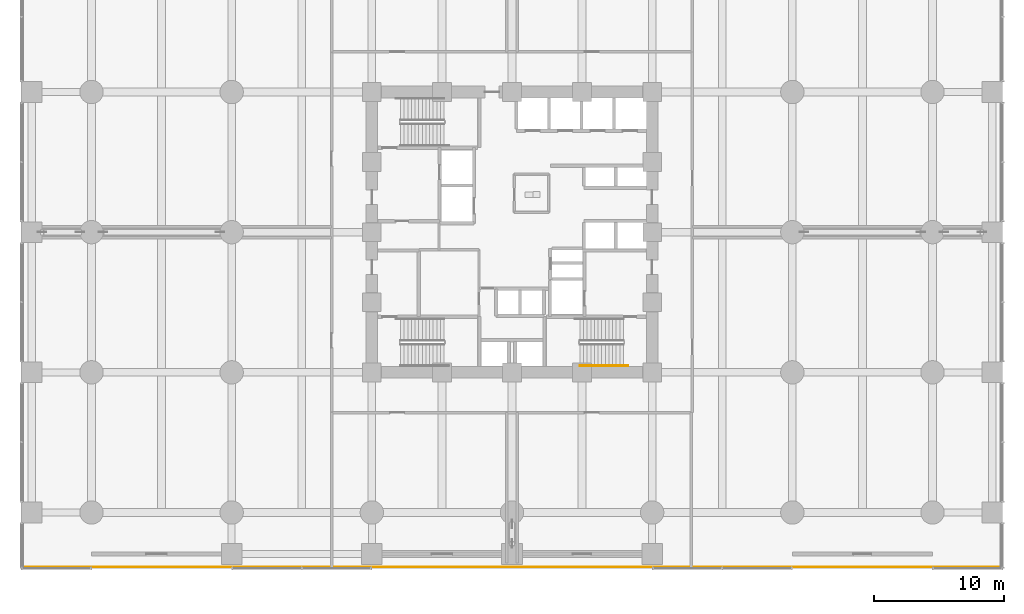
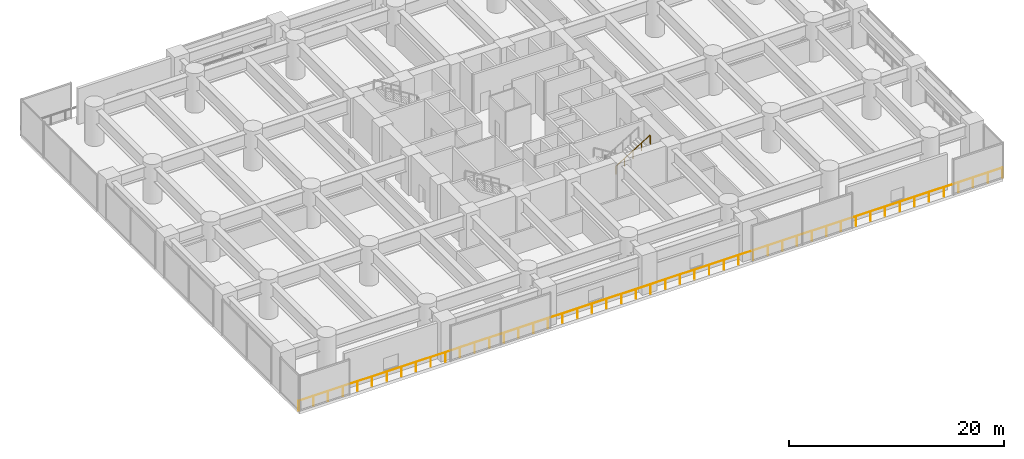
# One storey, part 34 of 37: 2 railings.
"""IFC4 building model written with IfcOpenShell, lengths in metres."""

import ifcopenshell
import ifcopenshell.guid

model = None  # the IFC model being written
_history = None  # IfcOwnerHistory: only IFC2X3 demands one
_inside = {}  # id of a spatial element -> (the spatial element, [elements in it])
_under = {}  # id of a project, library or spatial element -> (it, [spatial elements below it])
_declared = {}  # id of a project -> (the project, [libraries it declares])
_typed = {}  # id of a type object -> (the type object, [elements of that type])
_made_of = {}  # id of a material, layer set ... -> (it, [elements and type objects made of it])


def new_model(schema):
    """Start an empty IFC model of exactly this schema.

    Asked for "IFC4X3", IfcOpenShell would pick the latest addendum, in which some entities
    have other attributes; the version numbers below select the first issue.
    IFC2X3 requires an IfcOwnerHistory on every rooted entity: one is made here for all.
    """
    global model, _history
    if schema == "IFC4X3":
        model = ifcopenshell.file(schema_version=(4, 3, 0, 0))
    else:
        model = ifcopenshell.file(schema=schema)
    _inside.clear()
    _under.clear()
    _declared.clear()
    _typed.clear()
    _made_of.clear()
    _history = None
    if model.schema == "IFC2X3":
        org = make("IfcOrganization", Name="unknown")
        user = make(
            "IfcPersonAndOrganization",
            ThePerson=make("IfcPerson", FamilyName="unknown"),
            TheOrganization=org,
        )
        app = make(
            "IfcApplication",
            ApplicationDeveloper=org,
            Version="unknown",
            ApplicationFullName="unknown",
            ApplicationIdentifier="unknown",
        )
        _history = make(
            "IfcOwnerHistory",
            OwningUser=user,
            OwningApplication=app,
            ChangeAction="ADDED",
            CreationDate=0,
        )
    return model


def make(cls, **values):
    """One entity of the class cls with the attributes given. An attribute that is None is left unset."""
    return model.create_entity(
        cls, **{name: value for name, value in values.items() if value is not None}
    )


def rooted(cls, **values):
    """An entity with a GlobalId (a new one), such as an element, a storey or a relation."""
    return make(cls, GlobalId=ifcopenshell.guid.new(), OwnerHistory=_history, **values)


def si_unit(unit_type, name, prefix=None):
    """IfcSIUnit, for example si_unit("LENGTHUNIT", "METRE", prefix="MILLI")."""
    return make("IfcSIUnit", UnitType=unit_type, Prefix=prefix, Name=name)


def assignment(units):
    """IfcUnitAssignment: the units of a project."""
    return None if units is None else make("IfcUnitAssignment", Units=units)


def point(xyz):
    """IfcCartesianPoint."""
    return None if xyz is None else make("IfcCartesianPoint", Coordinates=xyz)


def direction(xyz):
    """IfcDirection."""
    return None if xyz is None else make("IfcDirection", DirectionRatios=xyz)


def frame(location, z_axis=None, x_axis=None):
    """IfcAxis2Placement3D, a coordinate frame: its origin and axes. An axis left out is left unset."""
    return make(
        "IfcAxis2Placement3D",
        Location=point(location),
        Axis=direction(z_axis),
        RefDirection=direction(x_axis),
    )


def frame_2d(location, x_axis=None):
    """IfcAxis2Placement2D, a coordinate frame in the plane: its origin and x axis."""
    return make(
        "IfcAxis2Placement2D", Location=point(location), RefDirection=direction(x_axis)
    )


def origin():
    """The frame at (0, 0, 0) with its axes left unset."""
    return frame((0.0, 0.0, 0.0))


def origin_2d():
    """The frame at (0, 0) in the plane with its x axis left unset."""
    return frame_2d((0.0, 0.0))


def place(relative_to, where):
    """IfcLocalPlacement: puts the frame where relative to a parent placement (None: the world)."""
    return make(
        "IfcLocalPlacement", PlacementRelTo=relative_to, RelativePlacement=where
    )


def context(
    kind, dimensions, precision=None, world=None, true_north=None, identifier=None
):
    """IfcGeometricRepresentationContext, for example the 3D "Model" context."""
    return make(
        "IfcGeometricRepresentationContext",
        ContextIdentifier=identifier,
        ContextType=kind,
        CoordinateSpaceDimension=dimensions,
        Precision=precision,
        WorldCoordinateSystem=world,
        TrueNorth=true_north,
    )


def subcontext(parent, identifier, kind, view, scale=None):
    """IfcGeometricRepresentationSubContext, for example "Body" below "Model"."""
    return make(
        "IfcGeometricRepresentationSubContext",
        ContextIdentifier=identifier,
        ContextType=kind,
        ParentContext=parent,
        TargetScale=scale,
        TargetView=view,
    )


def project(units=None, contexts=None):
    """IfcProject with its units and contexts."""
    return rooted(
        "IfcProject",
        Name="project",
        RepresentationContexts=contexts,
        UnitsInContext=assignment(units),
    )


def spatial(cls, under=None, at=None, **own):
    """A site, building, storey or space (cls), placed at a placement, below another one or the project."""
    s = rooted(cls, ObjectPlacement=at, **own)
    if under is not None:
        _under.setdefault(under.id(), (under, []))[1].append(s)
    return s


def profile(cls, at=None, kind="AREA", **sizes):
    """A parametric profile (cls). Its sizes go by their IFC names, for example OverallWidth=200.0."""
    return make(cls, ProfileType=kind, Position=at, **sizes)


def circle(**sizes):
    """IfcCircleProfileDef."""
    return profile("IfcCircleProfileDef", **sizes)


def extrude(swept, where, along, depth):
    """IfcExtrudedAreaSolid: the profile swept, set in the frame where, extruded along a direction by depth."""
    return make(
        "IfcExtrudedAreaSolid",
        SweptArea=swept,
        Position=where,
        ExtrudedDirection=direction(along),
        Depth=depth,
    )


def shape(context_of_items, identifier, shape_type, items):
    """IfcShapeRepresentation: the items that make up one representation, for example the "Body"."""
    return make(
        "IfcShapeRepresentation",
        ContextOfItems=context_of_items,
        RepresentationIdentifier=identifier,
        RepresentationType=shape_type,
        Items=items,
    )


def material(Name=None, Category=None):
    """IfcMaterial."""
    return make("IfcMaterial", Name=Name, Category=Category)


def made_of(thing, what):
    """Note that an element or type object is made of a material, layer set ...; save() writes the relation."""
    if what is not None:
        _made_of.setdefault(what.id(), (what, []))[1].append(thing)
    return thing


def type_object(cls, material=None, **own):
    """A type object (cls), such as IfcWallType, which elements share."""
    return made_of(rooted(cls, **own), material)


def element(
    cls,
    number,
    at=None,
    inside=None,
    cuts=None,
    type_object=None,
    material=None,
    context=None,
    identifier="Body",
    shape_type=None,
    held_by="IfcProductDefinitionShape",
    body=None,
    shapes=None,
    **own,
):
    """One element of the class cls, such as IfcWall. Its Tag is "e" and its number.

    at: its placement. inside: the storey or other place that contains it. cuts: it is an
    opening in that element (IfcRelVoidsElement). A single representation is given by context,
    identifier, shape_type and body (its items); several are given by shapes. held_by: the class
    of the entity that holds the representations. save() writes the other relations.
    """
    e = rooted(cls, Tag="e%d" % number, ObjectPlacement=at, **own)
    if body is not None:
        shapes = [shape(context, identifier, shape_type, body)]
    if shapes is not None:
        e.Representation = make(held_by, Representations=shapes)
    if inside is not None:
        _inside.setdefault(inside.id(), (inside, []))[1].append(e)
    if cuts is not None:
        rooted(
            "IfcRelVoidsElement", RelatingBuildingElement=cuts, RelatedOpeningElement=e
        )
    if type_object is not None:
        _typed.setdefault(type_object.id(), (type_object, []))[1].append(e)
    return made_of(e, material)


def aggregate(whole, parts):
    """IfcRelAggregates: a whole, such as a stair, and the parts it consists of."""
    return rooted("IfcRelAggregates", RelatingObject=whole, RelatedObjects=parts)


def save(model, path):
    """Write the relations noted so far, then the file.

    IfcRelAggregates (storeys below a building ...), IfcRelContainedInSpatialStructure (elements
    in a storey), IfcRelDefinesByType, IfcRelAssociatesMaterial and IfcRelDeclares: one each for
    every whole, place, type object, material and project.
    """
    for whole, parts in _under.values():
        aggregate(whole, parts)
    for where, things in _inside.values():
        rooted(
            "IfcRelContainedInSpatialStructure",
            RelatedElements=things,
            RelatingStructure=where,
        )
    for kind, things in _typed.values():
        rooted("IfcRelDefinesByType", RelatedObjects=things, RelatingType=kind)
    for what, things in _made_of.values():
        rooted("IfcRelAssociatesMaterial", RelatedObjects=things, RelatingMaterial=what)
    for by, libraries in _declared.values():
        rooted("IfcRelDeclares", RelatingContext=by, RelatedDefinitions=libraries)
    model.write(path)


model = new_model("IFC4")

# Units and contexts
model_context = context("Model", 3, precision=1e-05, world=origin(), true_north=direction((0.0, 1.0)))
body_context = subcontext(model_context, "Body", "Model", "MODEL_VIEW")
ifc_project = project(units=[si_unit("LENGTHUNIT", "METRE"), si_unit("AREAUNIT", "SQUARE_METRE"), si_unit("VOLUMEUNIT", "CUBIC_METRE"), si_unit("PLANEANGLEUNIT", "RADIAN"), si_unit("MASSUNIT", "GRAM", prefix="KILO")], contexts=[model_context])

# Site, building, storey
site_placement = place(None, origin())
site = spatial("IfcSite", under=ifc_project, at=site_placement, CompositionType="ELEMENT")
building_placement = place(site_placement, origin())
building = spatial("IfcBuilding", under=site, at=building_placement, Name="Surkhivell Harbour Commons", CompositionType="ELEMENT")
storey_placement = place(building_placement, frame((0.0, 0.0, 18.0)))
storey = spatial("IfcBuildingStorey", under=building, at=storey_placement, Name="L04", CompositionType="ELEMENT", Elevation=18.0)

# Railings
ifc_material_1 = material(Name="Laminated safety glass and stainless steel S355 balustrade", Category="steel")
railing_type_1 = type_object("IfcRailingType", Name="RAL-BAL-1150", PredefinedType="BALUSTRADE", material=ifc_material_1)
railing_1_placement = place(storey_placement, frame((-37.800048828125, -25.800048828125, 0.0)))
element("IfcRailing", 1, at=railing_1_placement, inside=storey, type_object=railing_type_1, Name="L04 Perimeter Safety Guard 01", PredefinedType="BALUSTRADE", context=body_context, shape_type="SweptSolid", body=[
    extrude(circle(Radius=0.02392578125, at=origin_2d()), frame((0.0, 0.0, 1.1259765625), z_axis=(1.0, 0.0, 0.0), x_axis=(0.0, 1.0, 0.0)), (0.0, 0.0, 1.0), 75.60009765625),
    extrude(circle(Radius=0.02099609375, at=origin_2d()), origin(), (0.0, 0.0, 1.0), 1.101806640625),
    extrude(circle(Radius=0.02099609375, at=origin_2d()), frame((1.574951171875, 0.0, 0.0)), (0.0, 0.0, 1.0), 1.101806640625),
    extrude(circle(Radius=0.02099609375, at=origin_2d()), frame((3.14990234375, 0.0, 0.0)), (0.0, 0.0, 1.0), 1.101806640625),
    extrude(circle(Radius=0.02099609375, at=origin_2d()), frame((4.72509765625, 0.0, 0.0)), (0.0, 0.0, 1.0), 1.101806640625),
    extrude(circle(Radius=0.02099609375, at=origin_2d()), frame((6.300048828125, 0.0, 0.0)), (0.0, 0.0, 1.0), 1.101806640625),
    extrude(circle(Radius=0.02099609375, at=origin_2d()), frame((7.875, 0.0, 0.0)), (0.0, 0.0, 1.0), 1.101806640625),
    extrude(circle(Radius=0.02099609375, at=origin_2d()), frame((9.449951171875, 0.0, 0.0)), (0.0, 0.0, 1.0), 1.101806640625),
    extrude(circle(Radius=0.02099609375, at=origin_2d()), frame((11.02490234375, 0.0, 0.0)), (0.0, 0.0, 1.0), 1.101806640625),
    extrude(circle(Radius=0.02099609375, at=origin_2d()), frame((12.60009765625, 0.0, 0.0)), (0.0, 0.0, 1.0), 1.101806640625),
    extrude(circle(Radius=0.02099609375, at=origin_2d()), frame((14.175048828125, 0.0, 0.0)), (0.0, 0.0, 1.0), 1.101806640625),
    extrude(circle(Radius=0.02099609375, at=origin_2d()), frame((15.75, 0.0, 0.0)), (0.0, 0.0, 1.0), 1.101806640625),
    extrude(circle(Radius=0.02099609375, at=origin_2d()), frame((17.324951171875, 0.0, 0.0)), (0.0, 0.0, 1.0), 1.101806640625),
    extrude(circle(Radius=0.02099609375, at=origin_2d()), frame((18.89990234375, 0.0, 0.0)), (0.0, 0.0, 1.0), 1.101806640625),
    extrude(circle(Radius=0.02099609375, at=origin_2d()), frame((20.47509765625, 0.0, 0.0)), (0.0, 0.0, 1.0), 1.101806640625),
    extrude(circle(Radius=0.02099609375, at=origin_2d()), frame((22.050048828125, 0.0, 0.0)), (0.0, 0.0, 1.0), 1.101806640625),
    extrude(circle(Radius=0.02099609375, at=origin_2d()), frame((23.625, 0.0, 0.0)), (0.0, 0.0, 1.0), 1.101806640625),
    extrude(circle(Radius=0.02099609375, at=origin_2d()), frame((25.199951171875, 0.0, 0.0)), (0.0, 0.0, 1.0), 1.101806640625),
    extrude(circle(Radius=0.02099609375, at=origin_2d()), frame((26.775146484375, 0.0, 0.0)), (0.0, 0.0, 1.0), 1.101806640625),
    extrude(circle(Radius=0.02099609375, at=origin_2d()), frame((28.35009765625, 0.0, 0.0)), (0.0, 0.0, 1.0), 1.101806640625),
    extrude(circle(Radius=0.02099609375, at=origin_2d()), frame((29.925048828125, 0.0, 0.0)), (0.0, 0.0, 1.0), 1.101806640625),
    extrude(circle(Radius=0.02099609375, at=origin_2d()), frame((31.5, 0.0, 0.0)), (0.0, 0.0, 1.0), 1.101806640625),
    extrude(circle(Radius=0.02099609375, at=origin_2d()), frame((33.074951171875, 0.0, 0.0)), (0.0, 0.0, 1.0), 1.101806640625),
    extrude(circle(Radius=0.02099609375, at=origin_2d()), frame((34.650146484375, 0.0, 0.0)), (0.0, 0.0, 1.0), 1.101806640625),
    extrude(circle(Radius=0.02099609375, at=origin_2d()), frame((36.22509765625, 0.0, 0.0)), (0.0, 0.0, 1.0), 1.101806640625),
    extrude(circle(Radius=0.02099609375, at=origin_2d()), frame((37.800048828125, 0.0, 0.0)), (0.0, 0.0, 1.0), 1.101806640625),
    extrude(circle(Radius=0.02099609375, at=origin_2d()), frame((39.375, 0.0, 0.0)), (0.0, 0.0, 1.0), 1.101806640625),
    extrude(circle(Radius=0.02099609375, at=origin_2d()), frame((40.949951171875, 0.0, 0.0)), (0.0, 0.0, 1.0), 1.101806640625),
    extrude(circle(Radius=0.02099609375, at=origin_2d()), frame((42.525146484375, 0.0, 0.0)), (0.0, 0.0, 1.0), 1.101806640625),
    extrude(circle(Radius=0.02099609375, at=origin_2d()), frame((44.10009765625, 0.0, 0.0)), (0.0, 0.0, 1.0), 1.101806640625),
    extrude(circle(Radius=0.02099609375, at=origin_2d()), frame((45.675048828125, 0.0, 0.0)), (0.0, 0.0, 1.0), 1.101806640625),
    extrude(circle(Radius=0.02099609375, at=origin_2d()), frame((47.25, 0.0, 0.0)), (0.0, 0.0, 1.0), 1.101806640625),
    extrude(circle(Radius=0.02099609375, at=origin_2d()), frame((48.824951171875, 0.0, 0.0)), (0.0, 0.0, 1.0), 1.101806640625),
    extrude(circle(Radius=0.02099609375, at=origin_2d()), frame((50.400146484375, 0.0, 0.0)), (0.0, 0.0, 1.0), 1.101806640625),
    extrude(circle(Radius=0.02099609375, at=origin_2d()), frame((51.97509765625, 0.0, 0.0)), (0.0, 0.0, 1.0), 1.101806640625),
    extrude(circle(Radius=0.02099609375, at=origin_2d()), frame((53.550048828125, 0.0, 0.0)), (0.0, 0.0, 1.0), 1.101806640625),
    extrude(circle(Radius=0.02099609375, at=origin_2d()), frame((55.125, 0.0, 0.0)), (0.0, 0.0, 1.0), 1.101806640625),
    extrude(circle(Radius=0.02099609375, at=origin_2d()), frame((56.7001953125, 0.0, 0.0)), (0.0, 0.0, 1.0), 1.101806640625),
    extrude(circle(Radius=0.02099609375, at=origin_2d()), frame((58.275146484375, 0.0, 0.0)), (0.0, 0.0, 1.0), 1.101806640625),
    extrude(circle(Radius=0.02099609375, at=origin_2d()), frame((59.85009765625, 0.0, 0.0)), (0.0, 0.0, 1.0), 1.101806640625),
    extrude(circle(Radius=0.02099609375, at=origin_2d()), frame((61.425048828125, 0.0, 0.0)), (0.0, 0.0, 1.0), 1.101806640625),
    extrude(circle(Radius=0.02099609375, at=origin_2d()), frame((63.0, 0.0, 0.0)), (0.0, 0.0, 1.0), 1.101806640625),
    extrude(circle(Radius=0.02099609375, at=origin_2d()), frame((64.5751953125, 0.0, 0.0)), (0.0, 0.0, 1.0), 1.101806640625),
    extrude(circle(Radius=0.02099609375, at=origin_2d()), frame((66.150146484375, 0.0, 0.0)), (0.0, 0.0, 1.0), 1.101806640625),
    extrude(circle(Radius=0.02099609375, at=origin_2d()), frame((67.72509765625, 0.0, 0.0)), (0.0, 0.0, 1.0), 1.101806640625),
    extrude(circle(Radius=0.02099609375, at=origin_2d()), frame((69.300048828125, 0.0, 0.0)), (0.0, 0.0, 1.0), 1.101806640625),
    extrude(circle(Radius=0.02099609375, at=origin_2d()), frame((70.875, 0.0, 0.0)), (0.0, 0.0, 1.0), 1.101806640625),
    extrude(circle(Radius=0.02099609375, at=origin_2d()), frame((72.4501953125, 0.0, 0.0)), (0.0, 0.0, 1.0), 1.101806640625),
    extrude(circle(Radius=0.02099609375, at=origin_2d()), frame((74.025146484375, 0.0, 0.0)), (0.0, 0.0, 1.0), 1.101806640625),
    extrude(circle(Radius=0.02099609375, at=origin_2d()), frame((75.60009765625, 0.0, 0.0)), (0.0, 0.0, 1.0), 1.101806640625),
])
ifc_material_2 = material(Name="Brushed stainless steel S355 handrail", Category="steel")
railing_type_2 = type_object("IfcRailingType", Name="RAL-ST-HND900", PredefinedType="HANDRAIL", material=ifc_material_2)
railing_2_placement = place(storey_placement, frame((5.22998046875, -10.2900390625, 2.423095703125)))
element("IfcRailing", 2, at=railing_2_placement, inside=storey, type_object=railing_type_2, Name="L04 ST2 stair handrail 2", PredefinedType="HANDRAIL", context=body_context, shape_type="SweptSolid", body=[
    extrude(circle(Radius=0.02392578125, at=origin_2d()), frame((0.0, 0.0, 0.8759765625), z_axis=(0.850622404505, 0.0, 0.525777067734), x_axis=(0.0, 1.0, 0.0)), (0.0, 0.0, 1.0), 4.279296875),
    extrude(circle(Radius=0.02392578125, at=origin_2d()), frame((3.64013671875, 0.0, 3.1259765625), z_axis=(0.418814502111, 0.0, -0.908071810388), x_axis=(0.0, 1.0, 0.0)), (0.0, 0.0, 1.0), 0.190673828125),
    extrude(circle(Radius=0.02099609375, at=origin_2d()), origin(), (0.0, 0.0, 1.0), 0.851806640625),
    extrude(circle(Radius=0.02099609375, at=origin_2d()), frame((0.91015625, 0.0, 0.5625)), (0.0, 0.0, 1.0), 0.851806640625),
    extrude(circle(Radius=0.02099609375, at=origin_2d()), frame((1.820068359375, 0.0, 1.125)), (0.0, 0.0, 1.0), 0.851806640625),
    extrude(circle(Radius=0.02099609375, at=origin_2d()), frame((2.72998046875, 0.0, 1.6875)), (0.0, 0.0, 1.0), 0.851806640625),
    extrude(circle(Radius=0.02099609375, at=origin_2d()), frame((3.64013671875, 0.0, 2.25)), (0.0, 0.0, 1.0), 0.851806640625),
    extrude(circle(Radius=0.02099609375, at=origin_2d()), frame((3.719970703125, 0.0, 2.076904296875)), (0.0, 0.0, 1.0), 0.851806640625),
])

save(model, "model.ifc")
